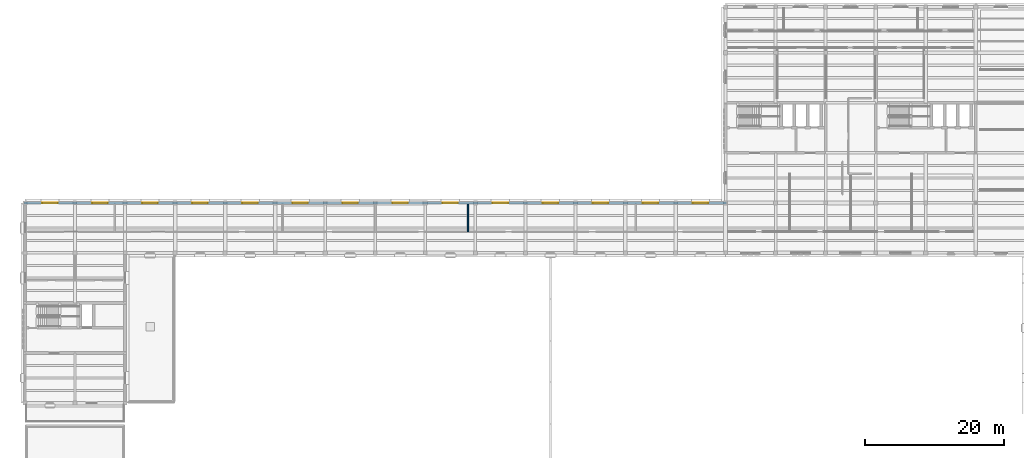
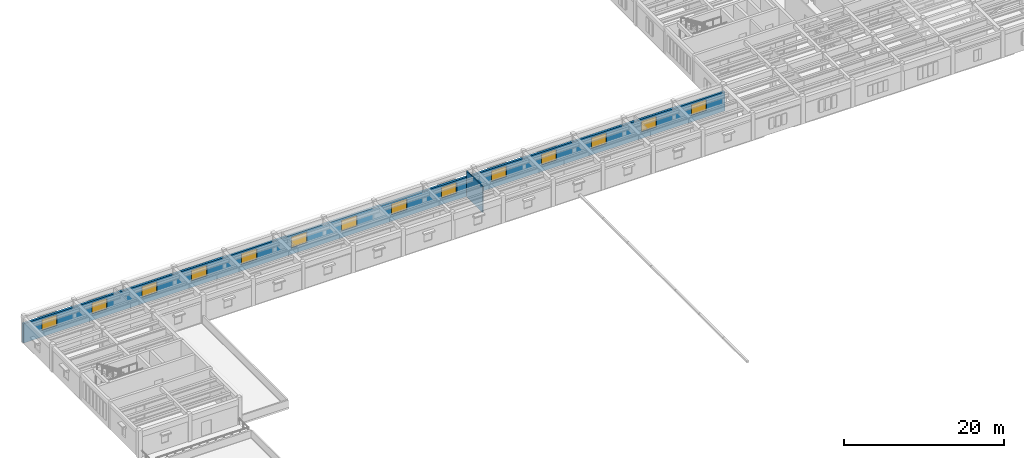
# One storey, part 14 of 27: 14 windows, 2 walls, 14 openings.
"""IFC4 building model written with IfcOpenShell, lengths in metres."""

from ifc_helpers import new_model, si_unit, direction, frame, frame_2d, origin, place, context, subcontext, project, spatial, rectangle, extrude, material, layer, layer_set, type_object, element, fill, save


model = new_model("IFC4")

# Units and contexts
model_context = context("Model", 3, precision=1e-05, world=origin(), true_north=direction((0.0, 1.0)))
body_context = subcontext(model_context, "Body", "Model", "MODEL_VIEW")
ifc_project = project(units=[si_unit("LENGTHUNIT", "METRE"), si_unit("AREAUNIT", "SQUARE_METRE"), si_unit("VOLUMEUNIT", "CUBIC_METRE"), si_unit("PLANEANGLEUNIT", "RADIAN"), si_unit("MASSUNIT", "GRAM", prefix="KILO")], contexts=[model_context])

# Site, building, storey
site_placement = place(None, origin())
site = spatial("IfcSite", under=ifc_project, at=site_placement, CompositionType="ELEMENT")
building_placement = place(site_placement, origin())
building = spatial("IfcBuilding", under=site, at=building_placement, Name="Mithqara Police Headquarters", CompositionType="ELEMENT")
storey_placement = place(building_placement, frame((0.0, 0.0, 18.0)))
storey = spatial("IfcBuildingStorey", under=building, at=storey_placement, Name="L04", CompositionType="ELEMENT", Elevation=18.0)

# Wall, openings, windows
ifc_material_1 = material(Name="Limestone ashlar masonry, 45 MPa", Category="masonry")
ifc_layer_1 = layer(ifc_material_1, 0.320068359375, Name="Limestone ashlar masonry, 45 MPa")
ifc_layer_set_1 = layer_set([ifc_layer_1], Name="Limestone ashlar masonry, 45 MPa")
wall_type_1 = type_object("IfcWallType", Name="EXT WALL LIMESTONE320", PredefinedType="SOLIDWALL", material=ifc_layer_set_1)
wall_1_placement = place(storey_placement, frame((108.760009765625, 85.800048828125, 0.0), z_axis=(0.0, 0.0, 1.0), x_axis=(-1.0, 0.0, 0.0)))
wall_1 = element("IfcWall", 1, at=wall_1_placement, inside=storey, type_object=wall_type_1, Name="L04 Exterior Wall 8.1", PredefinedType="SOLIDWALL", context=body_context, shape_type="SweptSolid", body=[
    extrude(rectangle(XDim=101.1201171875, YDim=0.320068359375, at=frame_2d((50.56005859375, 0.0))), origin(), (0.0, 0.0, 1.0), 2.93994140625),
])
opening_1_placement = place(wall_1_placement, frame((96.260009765625, 0.0, 1.0)))
opening_1 = element("IfcOpeningElement", 2, at=opening_1_placement, cuts=wall_1, Name="Opening W-42", PredefinedType="OPENING", context=body_context, shape_type="SweptSolid", body=[
    extrude(rectangle(XDim=2.199951171875, YDim=1.64990234375, at=frame_2d((1.10009765625, 0.824951171875))), frame((0.0, 0.169921875, 0.0), z_axis=(0.0, -1.0, 0.0), x_axis=(1.0, 0.0, 0.0)), (0.0, 0.0, 1.0), 0.340087890625),
])
opening_2_placement = place(wall_1_placement, frame((89.06005859375, 0.0, 1.0)))
opening_2 = element("IfcOpeningElement", 3, at=opening_2_placement, cuts=wall_1, Name="Opening W-42", PredefinedType="OPENING", context=body_context, shape_type="SweptSolid", body=[
    extrude(rectangle(XDim=2.199951171875, YDim=1.64990234375, at=frame_2d((1.10009765625, 0.824951171875))), frame((0.0, 0.169921875, 0.0), z_axis=(0.0, -1.0, 0.0), x_axis=(1.0, 0.0, 0.0)), (0.0, 0.0, 1.0), 0.340087890625),
])
opening_3_placement = place(wall_1_placement, frame((81.860107421875, 0.0, 1.0)))
opening_3 = element("IfcOpeningElement", 4, at=opening_3_placement, cuts=wall_1, Name="Opening W-42", PredefinedType="OPENING", context=body_context, shape_type="SweptSolid", body=[
    extrude(rectangle(XDim=2.199951171875, YDim=1.64990234375, at=frame_2d((1.10009765625, 0.824951171875))), frame((0.0, 0.169921875, 0.0), z_axis=(0.0, -1.0, 0.0), x_axis=(1.0, 0.0, 0.0)), (0.0, 0.0, 1.0), 0.340087890625),
])
opening_4_placement = place(wall_1_placement, frame((74.659912109375, 0.0, 1.0)))
opening_4 = element("IfcOpeningElement", 5, at=opening_4_placement, cuts=wall_1, Name="Opening W-42", PredefinedType="OPENING", context=body_context, shape_type="SweptSolid", body=[
    extrude(rectangle(XDim=2.199951171875, YDim=1.64990234375, at=frame_2d((1.10009765625, 0.824951171875))), frame((0.0, 0.169921875, 0.0), z_axis=(0.0, -1.0, 0.0), x_axis=(1.0, 0.0, 0.0)), (0.0, 0.0, 1.0), 0.340087890625),
])
opening_5_placement = place(wall_1_placement, frame((67.4599609375, 0.0, 1.0)))
opening_5 = element("IfcOpeningElement", 6, at=opening_5_placement, cuts=wall_1, Name="Opening W-42", PredefinedType="OPENING", context=body_context, shape_type="SweptSolid", body=[
    extrude(rectangle(XDim=2.199951171875, YDim=1.64990234375, at=frame_2d((1.10009765625, 0.824951171875))), frame((0.0, 0.169921875, 0.0), z_axis=(0.0, -1.0, 0.0), x_axis=(1.0, 0.0, 0.0)), (0.0, 0.0, 1.0), 0.340087890625),
])
opening_6_placement = place(wall_1_placement, frame((60.260009765625, 0.0, 1.0)))
opening_6 = element("IfcOpeningElement", 7, at=opening_6_placement, cuts=wall_1, Name="Opening W-42", PredefinedType="OPENING", context=body_context, shape_type="SweptSolid", body=[
    extrude(rectangle(XDim=2.199951171875, YDim=1.64990234375, at=frame_2d((1.10009765625, 0.824951171875))), frame((0.0, 0.169921875, 0.0), z_axis=(0.0, -1.0, 0.0), x_axis=(1.0, 0.0, 0.0)), (0.0, 0.0, 1.0), 0.340087890625),
])
opening_7_placement = place(wall_1_placement, frame((53.06005859375, 0.0, 1.0)))
opening_7 = element("IfcOpeningElement", 8, at=opening_7_placement, cuts=wall_1, Name="Opening W-42", PredefinedType="OPENING", context=body_context, shape_type="SweptSolid", body=[
    extrude(rectangle(XDim=2.199951171875, YDim=1.64990234375, at=frame_2d((1.10009765625, 0.824951171875))), frame((0.0, 0.169921875, 0.0), z_axis=(0.0, -1.0, 0.0), x_axis=(1.0, 0.0, 0.0)), (0.0, 0.0, 1.0), 0.340087890625),
])
opening_8_placement = place(wall_1_placement, frame((45.860107421875, 0.0, 1.0)))
opening_8 = element("IfcOpeningElement", 9, at=opening_8_placement, cuts=wall_1, Name="Opening W-42", PredefinedType="OPENING", context=body_context, shape_type="SweptSolid", body=[
    extrude(rectangle(XDim=2.199951171875, YDim=1.64990234375, at=frame_2d((1.10009765625, 0.824951171875))), frame((0.0, 0.169921875, 0.0), z_axis=(0.0, -1.0, 0.0), x_axis=(1.0, 0.0, 0.0)), (0.0, 0.0, 1.0), 0.340087890625),
])
opening_9_placement = place(wall_1_placement, frame((38.659912109375, 0.0, 1.0)))
opening_9 = element("IfcOpeningElement", 10, at=opening_9_placement, cuts=wall_1, Name="Opening W-42", PredefinedType="OPENING", context=body_context, shape_type="SweptSolid", body=[
    extrude(rectangle(XDim=2.199951171875, YDim=1.64990234375, at=frame_2d((1.10009765625, 0.824951171875))), frame((0.0, 0.169921875, 0.0), z_axis=(0.0, -1.0, 0.0), x_axis=(1.0, 0.0, 0.0)), (0.0, 0.0, 1.0), 0.340087890625),
])
opening_10_placement = place(wall_1_placement, frame((31.4599609375, 0.0, 1.0)))
opening_10 = element("IfcOpeningElement", 11, at=opening_10_placement, cuts=wall_1, Name="Opening W-42", PredefinedType="OPENING", context=body_context, shape_type="SweptSolid", body=[
    extrude(rectangle(XDim=2.199951171875, YDim=1.64990234375, at=frame_2d((1.10009765625, 0.824951171875))), frame((0.0, 0.169921875, 0.0), z_axis=(0.0, -1.0, 0.0), x_axis=(1.0, 0.0, 0.0)), (0.0, 0.0, 1.0), 0.340087890625),
])
opening_11_placement = place(wall_1_placement, frame((24.260009765625, 0.0, 1.0)))
opening_11 = element("IfcOpeningElement", 12, at=opening_11_placement, cuts=wall_1, Name="Opening W-42", PredefinedType="OPENING", context=body_context, shape_type="SweptSolid", body=[
    extrude(rectangle(XDim=2.199951171875, YDim=1.64990234375, at=frame_2d((1.10009765625, 0.824951171875))), frame((0.0, 0.169921875, 0.0), z_axis=(0.0, -1.0, 0.0), x_axis=(1.0, 0.0, 0.0)), (0.0, 0.0, 1.0), 0.340087890625),
])
opening_12_placement = place(wall_1_placement, frame((17.06005859375, 0.0, 1.0)))
opening_12 = element("IfcOpeningElement", 13, at=opening_12_placement, cuts=wall_1, Name="Opening W-42", PredefinedType="OPENING", context=body_context, shape_type="SweptSolid", body=[
    extrude(rectangle(XDim=2.199951171875, YDim=1.64990234375, at=frame_2d((1.10009765625, 0.824951171875))), frame((0.0, 0.169921875, 0.0), z_axis=(0.0, -1.0, 0.0), x_axis=(1.0, 0.0, 0.0)), (0.0, 0.0, 1.0), 0.340087890625),
])
opening_13_placement = place(wall_1_placement, frame((9.860107421875, 0.0, 1.0)))
opening_13 = element("IfcOpeningElement", 14, at=opening_13_placement, cuts=wall_1, Name="Opening W-42", PredefinedType="OPENING", context=body_context, shape_type="SweptSolid", body=[
    extrude(rectangle(XDim=2.199951171875, YDim=1.64990234375, at=frame_2d((1.10009765625, 0.824951171875))), frame((0.0, 0.169921875, 0.0), z_axis=(0.0, -1.0, 0.0), x_axis=(1.0, 0.0, 0.0)), (0.0, 0.0, 1.0), 0.340087890625),
])
opening_14_placement = place(wall_1_placement, frame((2.659912109375, 0.0, 1.0)))
opening_14 = element("IfcOpeningElement", 15, at=opening_14_placement, cuts=wall_1, Name="Opening W-42", PredefinedType="OPENING", context=body_context, shape_type="SweptSolid", body=[
    extrude(rectangle(XDim=2.199951171875, YDim=1.64990234375, at=frame_2d((1.10009765625, 0.824951171875))), frame((0.0, 0.169921875, 0.0), z_axis=(0.0, -1.0, 0.0), x_axis=(1.0, 0.0, 0.0)), (0.0, 0.0, 1.0), 0.340087890625),
])
ifc_material_2 = material(Name="Spectrally selective double low-e glass", Category="glass")
window_type = type_object("IfcWindowType", Name="WINDOW 2200X1650", PartitioningType="DOUBLE_PANEL_VERTICAL", PredefinedType="WINDOW", material=ifc_material_2)
window_1_placement = place(opening_1_placement, origin())
window_1 = element("IfcWindow", 16, at=window_1_placement, inside=storey, type_object=window_type, Name="L04 Deep-Set Punched Window 8.1", OverallHeight=1.64990234375, OverallWidth=2.199951171875, PartitioningType="SINGLE_PANEL", PredefinedType="WINDOW", context=body_context, shape_type="SweptSolid", body=[
    extrude(rectangle(XDim=2.199951171875, YDim=1.64990234375, at=frame_2d((1.10009765625, 0.824951171875))), frame((0.0, 0.030029296875, 0.0), z_axis=(0.0, -1.0, 0.0), x_axis=(1.0, 0.0, 0.0)), (0.0, 0.0, 1.0), 0.06005859375),
])
fill(opening_1, window_1)
window_2_placement = place(opening_2_placement, origin())
window_2 = element("IfcWindow", 17, at=window_2_placement, inside=storey, type_object=window_type, Name="L04 Deep-Set Punched Window 8.2", OverallHeight=1.64990234375, OverallWidth=2.199951171875, PartitioningType="SINGLE_PANEL", PredefinedType="WINDOW", context=body_context, shape_type="SweptSolid", body=[
    extrude(rectangle(XDim=2.199951171875, YDim=1.64990234375, at=frame_2d((1.10009765625, 0.824951171875))), frame((0.0, 0.030029296875, 0.0), z_axis=(0.0, -1.0, 0.0), x_axis=(1.0, 0.0, 0.0)), (0.0, 0.0, 1.0), 0.06005859375),
])
fill(opening_2, window_2)
window_3_placement = place(opening_3_placement, origin())
window_3 = element("IfcWindow", 18, at=window_3_placement, inside=storey, type_object=window_type, Name="L04 Deep-Set Punched Window 8.3", OverallHeight=1.64990234375, OverallWidth=2.199951171875, PartitioningType="SINGLE_PANEL", PredefinedType="WINDOW", context=body_context, shape_type="SweptSolid", body=[
    extrude(rectangle(XDim=2.199951171875, YDim=1.64990234375, at=frame_2d((1.10009765625, 0.824951171875))), frame((0.0, 0.030029296875, 0.0), z_axis=(0.0, -1.0, 0.0), x_axis=(1.0, 0.0, 0.0)), (0.0, 0.0, 1.0), 0.06005859375),
])
fill(opening_3, window_3)
window_4_placement = place(opening_4_placement, origin())
window_4 = element("IfcWindow", 19, at=window_4_placement, inside=storey, type_object=window_type, Name="L04 Deep-Set Punched Window 8.4", OverallHeight=1.64990234375, OverallWidth=2.199951171875, PartitioningType="SINGLE_PANEL", PredefinedType="WINDOW", context=body_context, shape_type="SweptSolid", body=[
    extrude(rectangle(XDim=2.199951171875, YDim=1.64990234375, at=frame_2d((1.10009765625, 0.824951171875))), frame((0.0, 0.030029296875, 0.0), z_axis=(0.0, -1.0, 0.0), x_axis=(1.0, 0.0, 0.0)), (0.0, 0.0, 1.0), 0.06005859375),
])
fill(opening_4, window_4)
window_5_placement = place(opening_5_placement, origin())
window_5 = element("IfcWindow", 20, at=window_5_placement, inside=storey, type_object=window_type, Name="L04 Deep-Set Punched Window 8.5", OverallHeight=1.64990234375, OverallWidth=2.199951171875, PartitioningType="SINGLE_PANEL", PredefinedType="WINDOW", context=body_context, shape_type="SweptSolid", body=[
    extrude(rectangle(XDim=2.199951171875, YDim=1.64990234375, at=frame_2d((1.10009765625, 0.824951171875))), frame((0.0, 0.030029296875, 0.0), z_axis=(0.0, -1.0, 0.0), x_axis=(1.0, 0.0, 0.0)), (0.0, 0.0, 1.0), 0.06005859375),
])
fill(opening_5, window_5)
window_6_placement = place(opening_6_placement, origin())
window_6 = element("IfcWindow", 21, at=window_6_placement, inside=storey, type_object=window_type, Name="L04 Deep-Set Punched Window 8.6", OverallHeight=1.64990234375, OverallWidth=2.199951171875, PartitioningType="SINGLE_PANEL", PredefinedType="WINDOW", context=body_context, shape_type="SweptSolid", body=[
    extrude(rectangle(XDim=2.199951171875, YDim=1.64990234375, at=frame_2d((1.10009765625, 0.824951171875))), frame((0.0, 0.030029296875, 0.0), z_axis=(0.0, -1.0, 0.0), x_axis=(1.0, 0.0, 0.0)), (0.0, 0.0, 1.0), 0.06005859375),
])
fill(opening_6, window_6)
window_7_placement = place(opening_7_placement, origin())
window_7 = element("IfcWindow", 22, at=window_7_placement, inside=storey, type_object=window_type, Name="L04 Deep-Set Punched Window 8.7", OverallHeight=1.64990234375, OverallWidth=2.199951171875, PartitioningType="SINGLE_PANEL", PredefinedType="WINDOW", context=body_context, shape_type="SweptSolid", body=[
    extrude(rectangle(XDim=2.199951171875, YDim=1.64990234375, at=frame_2d((1.10009765625, 0.824951171875))), frame((0.0, 0.030029296875, 0.0), z_axis=(0.0, -1.0, 0.0), x_axis=(1.0, 0.0, 0.0)), (0.0, 0.0, 1.0), 0.06005859375),
])
fill(opening_7, window_7)
window_8_placement = place(opening_8_placement, origin())
window_8 = element("IfcWindow", 23, at=window_8_placement, inside=storey, type_object=window_type, Name="L04 Deep-Set Punched Window 8.8", OverallHeight=1.64990234375, OverallWidth=2.199951171875, PartitioningType="SINGLE_PANEL", PredefinedType="WINDOW", context=body_context, shape_type="SweptSolid", body=[
    extrude(rectangle(XDim=2.199951171875, YDim=1.64990234375, at=frame_2d((1.10009765625, 0.824951171875))), frame((0.0, 0.030029296875, 0.0), z_axis=(0.0, -1.0, 0.0), x_axis=(1.0, 0.0, 0.0)), (0.0, 0.0, 1.0), 0.06005859375),
])
fill(opening_8, window_8)
window_9_placement = place(opening_9_placement, origin())
window_9 = element("IfcWindow", 24, at=window_9_placement, inside=storey, type_object=window_type, Name="L04 Deep-Set Punched Window 8.9", OverallHeight=1.64990234375, OverallWidth=2.199951171875, PartitioningType="SINGLE_PANEL", PredefinedType="WINDOW", context=body_context, shape_type="SweptSolid", body=[
    extrude(rectangle(XDim=2.199951171875, YDim=1.64990234375, at=frame_2d((1.10009765625, 0.824951171875))), frame((0.0, 0.030029296875, 0.0), z_axis=(0.0, -1.0, 0.0), x_axis=(1.0, 0.0, 0.0)), (0.0, 0.0, 1.0), 0.06005859375),
])
fill(opening_9, window_9)
window_10_placement = place(opening_10_placement, origin())
window_10 = element("IfcWindow", 25, at=window_10_placement, inside=storey, type_object=window_type, Name="L04 Deep-Set Punched Window 8.10", OverallHeight=1.64990234375, OverallWidth=2.199951171875, PartitioningType="SINGLE_PANEL", PredefinedType="WINDOW", context=body_context, shape_type="SweptSolid", body=[
    extrude(rectangle(XDim=2.199951171875, YDim=1.64990234375, at=frame_2d((1.10009765625, 0.824951171875))), frame((0.0, 0.030029296875, 0.0), z_axis=(0.0, -1.0, 0.0), x_axis=(1.0, 0.0, 0.0)), (0.0, 0.0, 1.0), 0.06005859375),
])
fill(opening_10, window_10)
window_11_placement = place(opening_11_placement, origin())
window_11 = element("IfcWindow", 26, at=window_11_placement, inside=storey, type_object=window_type, Name="L04 Deep-Set Punched Window 8.11", OverallHeight=1.64990234375, OverallWidth=2.199951171875, PartitioningType="SINGLE_PANEL", PredefinedType="WINDOW", context=body_context, shape_type="SweptSolid", body=[
    extrude(rectangle(XDim=2.199951171875, YDim=1.64990234375, at=frame_2d((1.10009765625, 0.824951171875))), frame((0.0, 0.030029296875, 0.0), z_axis=(0.0, -1.0, 0.0), x_axis=(1.0, 0.0, 0.0)), (0.0, 0.0, 1.0), 0.06005859375),
])
fill(opening_11, window_11)
window_12_placement = place(opening_12_placement, origin())
window_12 = element("IfcWindow", 27, at=window_12_placement, inside=storey, type_object=window_type, Name="L04 Deep-Set Punched Window 8.12", OverallHeight=1.64990234375, OverallWidth=2.199951171875, PartitioningType="SINGLE_PANEL", PredefinedType="WINDOW", context=body_context, shape_type="SweptSolid", body=[
    extrude(rectangle(XDim=2.199951171875, YDim=1.64990234375, at=frame_2d((1.10009765625, 0.824951171875))), frame((0.0, 0.030029296875, 0.0), z_axis=(0.0, -1.0, 0.0), x_axis=(1.0, 0.0, 0.0)), (0.0, 0.0, 1.0), 0.06005859375),
])
fill(opening_12, window_12)
window_13_placement = place(opening_13_placement, origin())
window_13 = element("IfcWindow", 28, at=window_13_placement, inside=storey, type_object=window_type, Name="L04 Deep-Set Punched Window 8.13", OverallHeight=1.64990234375, OverallWidth=2.199951171875, PartitioningType="SINGLE_PANEL", PredefinedType="WINDOW", context=body_context, shape_type="SweptSolid", body=[
    extrude(rectangle(XDim=2.199951171875, YDim=1.64990234375, at=frame_2d((1.10009765625, 0.824951171875))), frame((0.0, 0.030029296875, 0.0), z_axis=(0.0, -1.0, 0.0), x_axis=(1.0, 0.0, 0.0)), (0.0, 0.0, 1.0), 0.06005859375),
])
fill(opening_13, window_13)
window_14_placement = place(opening_14_placement, origin())
window_14 = element("IfcWindow", 29, at=window_14_placement, inside=storey, type_object=window_type, Name="L04 Deep-Set Punched Window 8.14", OverallHeight=1.64990234375, OverallWidth=2.199951171875, PartitioningType="SINGLE_PANEL", PredefinedType="WINDOW", context=body_context, shape_type="SweptSolid", body=[
    extrude(rectangle(XDim=2.199951171875, YDim=1.64990234375, at=frame_2d((1.10009765625, 0.824951171875))), frame((0.0, 0.030029296875, 0.0), z_axis=(0.0, -1.0, 0.0), x_axis=(1.0, 0.0, 0.0)), (0.0, 0.0, 1.0), 0.06005859375),
])
fill(opening_14, window_14)

# Wall
ifc_material_3 = material(Name="Gypsum acoustic stud partition", Category="gypsum")
ifc_layer_2 = layer(ifc_material_3, 0.159912109375, Name="Gypsum acoustic stud partition")
ifc_layer_set_2 = layer_set([ifc_layer_2], Name="Gypsum acoustic stud partition")
wall_type_2 = type_object("IfcWallType", Name="PART WALL 160", PredefinedType="PARTITIONING", material=ifc_layer_set_2)
wall_2_placement = place(storey_placement, frame((71.544921875, 81.639892578125, 0.0), z_axis=(0.0, 0.0, 1.0), x_axis=(0.0, 1.0, 0.0)))
element("IfcWall", 30, at=wall_2_placement, inside=storey, type_object=wall_type_2, Name="L04 Room Partition Witness Interview Suite", PredefinedType="PARTITIONING", context=body_context, shape_type="SweptSolid", body=[
    extrude(rectangle(XDim=3.980224609375, YDim=0.159912109375, at=frame_2d((1.990234375, 0.0))), origin(), (0.0, 0.0, 1.0), 3.93994140625),
])

save(model, "model.ifc")
